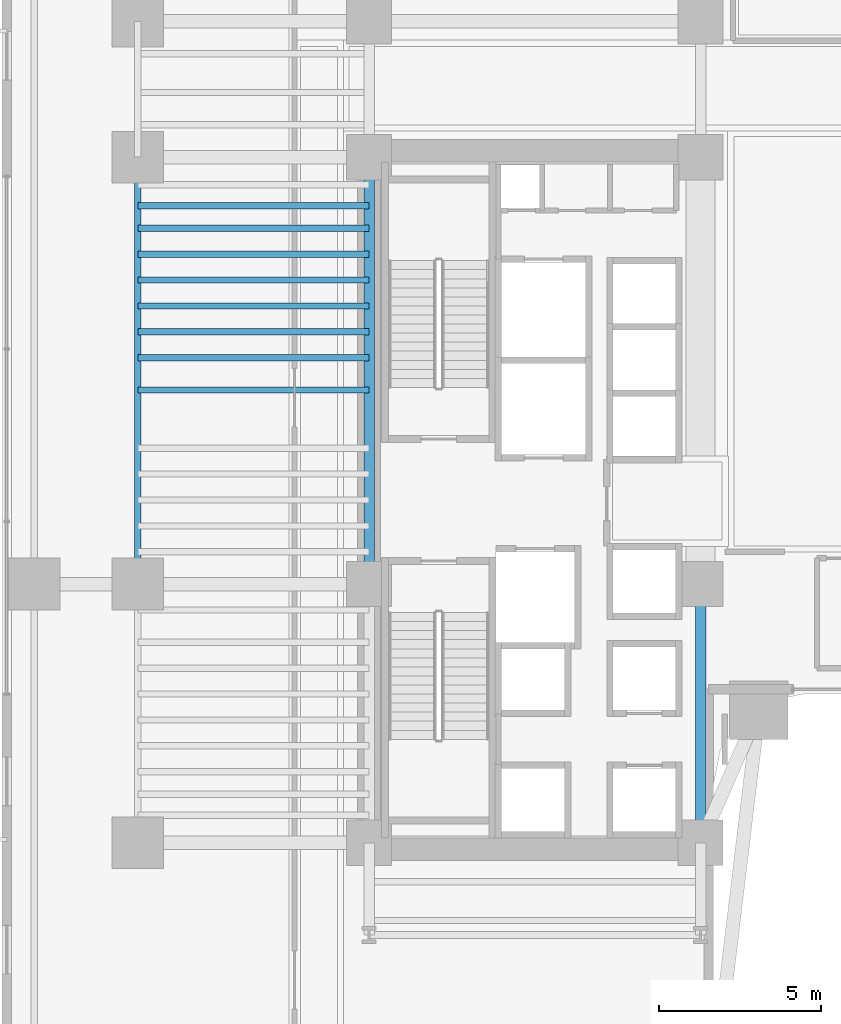
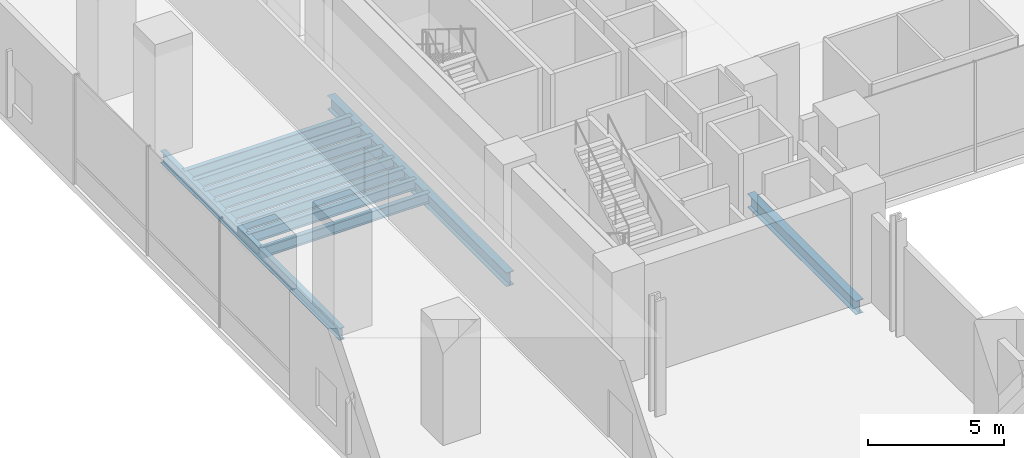
# One storey, part 5 of 39: 11 beams.
"""IFC4 building model written with IfcOpenShell, lengths in metres."""

from ifc_helpers import new_model, si_unit, direction, frame, origin, origin_2d, place, context, subcontext, project, spatial, i_section, extrude, source, transform, mapped, material, material_profile, profile_set, type_object, element, save


model = new_model("IFC4")

# Units and contexts
model_context = context("Model", 3, precision=1e-05, world=origin(), true_north=direction((0.0, 1.0)))
body_context = subcontext(model_context, "Body", "Model", "MODEL_VIEW")
ifc_project = project(units=[si_unit("LENGTHUNIT", "METRE"), si_unit("AREAUNIT", "SQUARE_METRE"), si_unit("VOLUMEUNIT", "CUBIC_METRE"), si_unit("PLANEANGLEUNIT", "RADIAN"), si_unit("MASSUNIT", "GRAM", prefix="KILO")], contexts=[model_context])

# Site, building, storey
site_placement = place(None, origin())
site = spatial("IfcSite", under=ifc_project, at=site_placement, CompositionType="ELEMENT")
building_placement = place(site_placement, origin())
building = spatial("IfcBuilding", under=site, at=building_placement, Name="Valdorenza Pilgrim Sanctuary Tower", CompositionType="ELEMENT")
storey_placement = place(building_placement, frame((0.0, 0.0, 5.199951171875)))
storey = spatial("IfcBuildingStorey", under=building, at=storey_placement, Name="L01", CompositionType="ELEMENT", Elevation=5.199951171875)

# Beams
ifc_material = material(Name="Steel ASTM A992 Grade 50", Category="steel")
ifc_material_profile_1 = material_profile(ifc_material, i_section(OverallWidth=0.323974609375, OverallDepth=0.611083984375, WebThickness=0.0126953125, FlangeThickness=0.01904296875, at=origin_2d()), Name="W24X104")
ifc_profile_set_1 = profile_set([ifc_material_profile_1], Name="Steel ASTM A992 Grade 50")
beam_type_1 = type_object("IfcBeamType", Name="STR-BM-GRD-W24B", PredefinedType="BEAM", material=ifc_profile_set_1)
shared_shape_1 = source(origin(), body_context, "Body", "SweptSolid", [
    extrude(i_section(OverallWidth=0.323974609375, OverallDepth=0.611083984375, WebThickness=0.0126953125, FlangeThickness=0.01904296875, at=origin_2d()), origin(), (0.0, 0.0, 1.0), 8.0),
])
beam_1_placement = place(storey_placement, frame((-12.39990234375, -10.60009765625, -0.58544921875), z_axis=(0.0, 1.0, 0.0), x_axis=(-1.0, 0.0, 0.0)))
element("IfcBeam", 1, at=beam_1_placement, inside=storey, type_object=beam_type_1, Name="L01 Core Tie Girder CA-E-S1M0", PredefinedType="BEAM", context=body_context, shape_type="MappedRepresentation", body=[
    mapped(shared_shape_1, transform((0.0, 0.0, 0.0), x_axis=(1.0, 0.0, 0.0), y_axis=(0.0, 1.0, 0.0), z_axis=(0.0, 0.0, 1.0), scale=1.0)),
])
ifc_material_profile_2 = material_profile(ifc_material, i_section(OverallWidth=0.214111328125, OverallDepth=0.549072265625, WebThickness=0.0146484375, FlangeThickness=0.023681640625, at=origin_2d()), Name="W21X93")
ifc_profile_set_2 = profile_set([ifc_material_profile_2], Name="Steel ASTM A992 Grade 50")
beam_type_2 = type_object("IfcBeamType", Name="STR-BM-SPN-W21A", PredefinedType="SPANDREL", material=ifc_profile_set_2)
shared_shape_2 = source(origin(), body_context, "Body", "SweptSolid", [
    extrude(i_section(OverallWidth=0.214111328125, OverallDepth=0.549072265625, WebThickness=0.0146484375, FlangeThickness=0.023681640625, at=origin_2d()), origin(), (0.0, 0.0, 1.0), 13.2001953125),
])
beam_2_placement = place(storey_placement, frame((-29.800048828125, -2.60009765625, -0.554443359375), z_axis=(0.0, 1.0, 0.0), x_axis=(-1.0, 0.0, 0.0)))
element("IfcBeam", 2, at=beam_2_placement, inside=storey, type_object=beam_type_2, Name="L01 Spandrel Beam WA-W-M0N1", PredefinedType="SPANDREL", context=body_context, shape_type="MappedRepresentation", body=[
    mapped(shared_shape_2, transform((0.0, 0.0, 0.0), x_axis=(1.0, 0.0, 0.0), y_axis=(0.0, 1.0, 0.0), z_axis=(0.0, 0.0, 1.0), scale=1.0)),
])
shared_shape_3 = source(origin(), body_context, "Body", "SweptSolid", [
    extrude(i_section(OverallWidth=0.323974609375, OverallDepth=0.611083984375, WebThickness=0.0126953125, FlangeThickness=0.01904296875, at=origin_2d()), origin(), (0.0, 0.0, 1.0), 13.2001953125),
])
beam_3_placement = place(storey_placement, frame((-22.64990234375, -2.60009765625, -0.58544921875), z_axis=(0.0, 1.0, 0.0), x_axis=(-1.0, 0.0, 0.0)))
element("IfcBeam", 3, at=beam_3_placement, inside=storey, type_object=beam_type_1, Name="L01 Core Tie Girder CA-W-M0N1", PredefinedType="BEAM", context=body_context, shape_type="MappedRepresentation", body=[
    mapped(shared_shape_3, transform((0.0, 0.0, 0.0), x_axis=(1.0, 0.0, 0.0), y_axis=(0.0, 1.0, 0.0), z_axis=(0.0, 0.0, 1.0), scale=1.0)),
])
ifc_material_profile_3 = material_profile(ifc_material, i_section(OverallWidth=0.193115234375, OverallDepth=0.466064453125, WebThickness=0.011474609375, FlangeThickness=0.01904296875, at=origin_2d()), Name="W18X65")
ifc_profile_set_3 = profile_set([ifc_material_profile_3], Name="Steel ASTM A992 Grade 50")
beam_type_3 = type_object("IfcBeamType", Name="STR-BM-JST-W18A", PredefinedType="JOIST", material=ifc_profile_set_3)
shared_shape_4 = source(origin(), body_context, "Body", "SweptSolid", [
    extrude(i_section(OverallWidth=0.193115234375, OverallDepth=0.466064453125, WebThickness=0.011474609375, FlangeThickness=0.01904296875, at=origin_2d()), origin(), (0.0, 0.0, 1.0), 7.150146484375),
])
for number, where, z_axis, x_axis, name in (
    (4, (-29.800048828125, 3.39990234375, -0.512939453125), (1.0, 0.0, 0.0), (0.0, 1.0, 0.0), "L01 Composite Floor Joist JST-WA-15"),
    (5, (-29.800048828125, 4.39990234375, -0.512939453125), (1.0, 0.0, 0.0), (0.0, 1.0, 0.0), "L01 Composite Floor Joist JST-WA-16"),
    (6, (-29.800048828125, 5.199951171875, -0.512939453125), (1.0, 0.0, 0.0), (0.0, 1.0, 0.0), "L01 Composite Floor Joist JST-WA-17"),
    (7, (-29.800048828125, 6.0, -0.512939453125), (1.0, 0.0, 0.0), (0.0, 1.0, 0.0), "L01 Composite Floor Joist JST-WA-18"),
    (8, (-29.800048828125, 6.800048828125, -0.512939453125), (1.0, 0.0, 0.0), (0.0, 1.0, 0.0), "L01 Composite Floor Joist JST-WA-19"),
    (9, (-29.800048828125, 7.60009765625, -0.512939453125), (1.0, 0.0, 0.0), (0.0, 1.0, 0.0), "L01 Composite Floor Joist JST-WA-20"),
    (10, (-29.800048828125, 8.39990234375, -0.512939453125), (1.0, 0.0, 0.0), (0.0, 1.0, 0.0), "L01 Composite Floor Joist JST-WA-21"),
    (11, (-29.800048828125, 9.10009765625, -0.512939453125), (1.0, 0.0, 0.0), (0.0, 1.0, 0.0), "L01 Composite Floor Joist JST-WA-22"),
):
    element("IfcBeam", number, at=place(storey_placement, frame(where, z_axis=z_axis, x_axis=x_axis)), inside=storey, type_object=beam_type_3, Name=name, PredefinedType="JOIST", context=body_context, shape_type="MappedRepresentation", body=[
        mapped(shared_shape_4, transform((0.0, 0.0, 0.0), x_axis=(1.0, 0.0, 0.0), y_axis=(0.0, 1.0, 0.0), z_axis=(0.0, 0.0, 1.0), scale=1.0)),
    ])

save(model, "model.ifc")
